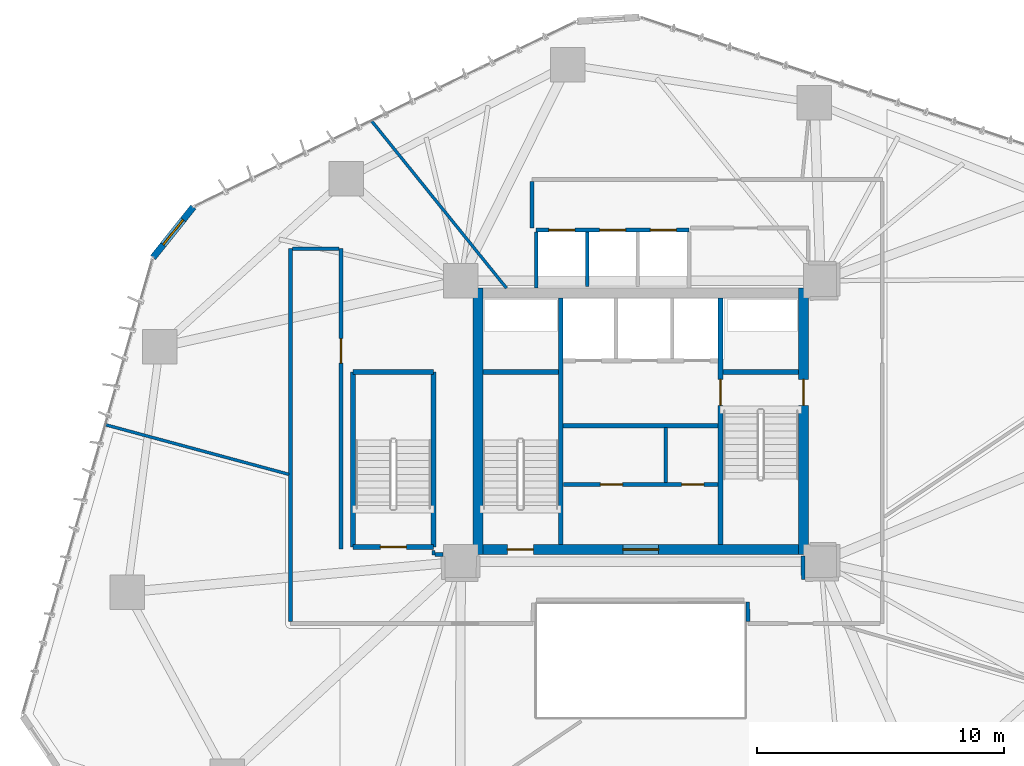
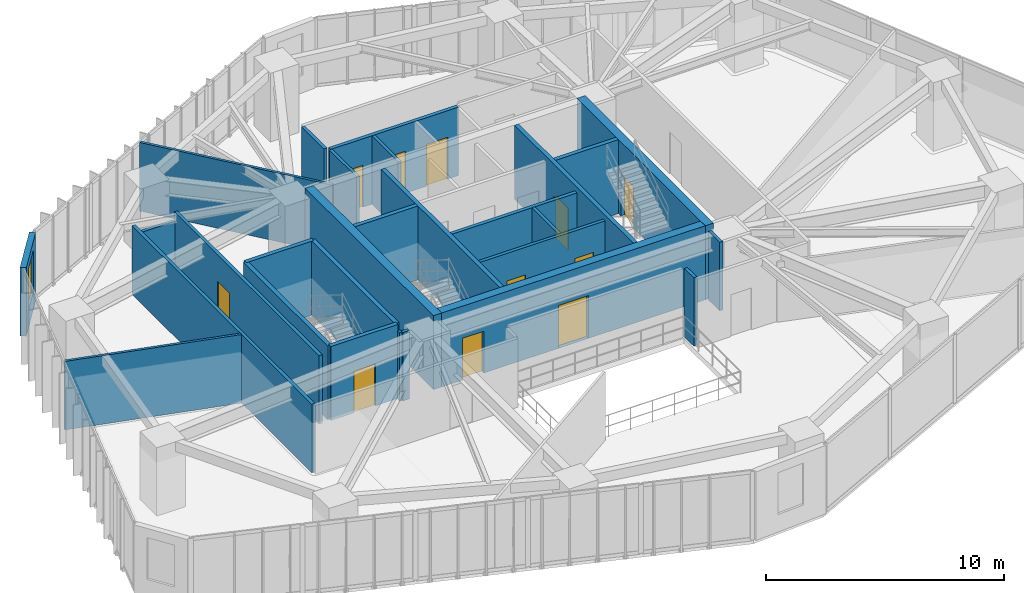
# One storey, part 18 of 23: 28 walls, 11 doors, 1 window, 12 openings.
"""IFC4 building model written with IfcOpenShell, lengths in metres."""

import ifcopenshell
import ifcopenshell.guid

model = None  # the IFC model being written
_history = None  # IfcOwnerHistory: only IFC2X3 demands one
_inside = {}  # id of a spatial element -> (the spatial element, [elements in it])
_under = {}  # id of a project, library or spatial element -> (it, [spatial elements below it])
_declared = {}  # id of a project -> (the project, [libraries it declares])
_typed = {}  # id of a type object -> (the type object, [elements of that type])
_made_of = {}  # id of a material, layer set ... -> (it, [elements and type objects made of it])


def new_model(schema):
    """Start an empty IFC model of exactly this schema.

    Asked for "IFC4X3", IfcOpenShell would pick the latest addendum, in which some entities
    have other attributes; the version numbers below select the first issue.
    IFC2X3 requires an IfcOwnerHistory on every rooted entity: one is made here for all.
    """
    global model, _history
    if schema == "IFC4X3":
        model = ifcopenshell.file(schema_version=(4, 3, 0, 0))
    else:
        model = ifcopenshell.file(schema=schema)
    _inside.clear()
    _under.clear()
    _declared.clear()
    _typed.clear()
    _made_of.clear()
    _history = None
    if model.schema == "IFC2X3":
        org = make("IfcOrganization", Name="unknown")
        user = make(
            "IfcPersonAndOrganization",
            ThePerson=make("IfcPerson", FamilyName="unknown"),
            TheOrganization=org,
        )
        app = make(
            "IfcApplication",
            ApplicationDeveloper=org,
            Version="unknown",
            ApplicationFullName="unknown",
            ApplicationIdentifier="unknown",
        )
        _history = make(
            "IfcOwnerHistory",
            OwningUser=user,
            OwningApplication=app,
            ChangeAction="ADDED",
            CreationDate=0,
        )
    return model


def make(cls, **values):
    """One entity of the class cls with the attributes given. An attribute that is None is left unset."""
    return model.create_entity(
        cls, **{name: value for name, value in values.items() if value is not None}
    )


def rooted(cls, **values):
    """An entity with a GlobalId (a new one), such as an element, a storey or a relation."""
    return make(cls, GlobalId=ifcopenshell.guid.new(), OwnerHistory=_history, **values)


def si_unit(unit_type, name, prefix=None):
    """IfcSIUnit, for example si_unit("LENGTHUNIT", "METRE", prefix="MILLI")."""
    return make("IfcSIUnit", UnitType=unit_type, Prefix=prefix, Name=name)


def assignment(units):
    """IfcUnitAssignment: the units of a project."""
    return None if units is None else make("IfcUnitAssignment", Units=units)


def point(xyz):
    """IfcCartesianPoint."""
    return None if xyz is None else make("IfcCartesianPoint", Coordinates=xyz)


def direction(xyz):
    """IfcDirection."""
    return None if xyz is None else make("IfcDirection", DirectionRatios=xyz)


def frame(location, z_axis=None, x_axis=None):
    """IfcAxis2Placement3D, a coordinate frame: its origin and axes. An axis left out is left unset."""
    return make(
        "IfcAxis2Placement3D",
        Location=point(location),
        Axis=direction(z_axis),
        RefDirection=direction(x_axis),
    )


def frame_2d(location, x_axis=None):
    """IfcAxis2Placement2D, a coordinate frame in the plane: its origin and x axis."""
    return make(
        "IfcAxis2Placement2D", Location=point(location), RefDirection=direction(x_axis)
    )


def origin():
    """The frame at (0, 0, 0) with its axes left unset."""
    return frame((0.0, 0.0, 0.0))


def place(relative_to, where):
    """IfcLocalPlacement: puts the frame where relative to a parent placement (None: the world)."""
    return make(
        "IfcLocalPlacement", PlacementRelTo=relative_to, RelativePlacement=where
    )


def context(
    kind, dimensions, precision=None, world=None, true_north=None, identifier=None
):
    """IfcGeometricRepresentationContext, for example the 3D "Model" context."""
    return make(
        "IfcGeometricRepresentationContext",
        ContextIdentifier=identifier,
        ContextType=kind,
        CoordinateSpaceDimension=dimensions,
        Precision=precision,
        WorldCoordinateSystem=world,
        TrueNorth=true_north,
    )


def subcontext(parent, identifier, kind, view, scale=None):
    """IfcGeometricRepresentationSubContext, for example "Body" below "Model"."""
    return make(
        "IfcGeometricRepresentationSubContext",
        ContextIdentifier=identifier,
        ContextType=kind,
        ParentContext=parent,
        TargetScale=scale,
        TargetView=view,
    )


def project(units=None, contexts=None):
    """IfcProject with its units and contexts."""
    return rooted(
        "IfcProject",
        Name="project",
        RepresentationContexts=contexts,
        UnitsInContext=assignment(units),
    )


def spatial(cls, under=None, at=None, **own):
    """A site, building, storey or space (cls), placed at a placement, below another one or the project."""
    s = rooted(cls, ObjectPlacement=at, **own)
    if under is not None:
        _under.setdefault(under.id(), (under, []))[1].append(s)
    return s


def profile(cls, at=None, kind="AREA", **sizes):
    """A parametric profile (cls). Its sizes go by their IFC names, for example OverallWidth=200.0."""
    return make(cls, ProfileType=kind, Position=at, **sizes)


def rectangle(**sizes):
    """IfcRectangleProfileDef."""
    return profile("IfcRectangleProfileDef", **sizes)


def extrude(swept, where, along, depth):
    """IfcExtrudedAreaSolid: the profile swept, set in the frame where, extruded along a direction by depth."""
    return make(
        "IfcExtrudedAreaSolid",
        SweptArea=swept,
        Position=where,
        ExtrudedDirection=direction(along),
        Depth=depth,
    )


def shape(context_of_items, identifier, shape_type, items):
    """IfcShapeRepresentation: the items that make up one representation, for example the "Body"."""
    return make(
        "IfcShapeRepresentation",
        ContextOfItems=context_of_items,
        RepresentationIdentifier=identifier,
        RepresentationType=shape_type,
        Items=items,
    )


def source(mapping_origin, context_of_items, identifier, shape_type, items):
    """IfcRepresentationMap: a shape defined once, which mapped items show again and again."""
    return make(
        "IfcRepresentationMap",
        MappingOrigin=mapping_origin,
        MappedRepresentation=shape(context_of_items, identifier, shape_type, items),
    )


def transform(
    local_origin,
    x_axis=None,
    y_axis=None,
    z_axis=None,
    scale=None,
    scale2=None,
    scale3=None,
    uniform=True,
):
    """IfcCartesianTransformationOperator3D, or its non-uniform kind. x_axis, y_axis, z_axis: its Axis1, 2, 3."""
    if uniform:
        return make(
            "IfcCartesianTransformationOperator3D",
            Axis1=direction(x_axis),
            Axis2=direction(y_axis),
            LocalOrigin=point(local_origin),
            Scale=scale,
            Axis3=direction(z_axis),
        )
    return make(
        "IfcCartesianTransformationOperator3DnonUniform",
        Axis1=direction(x_axis),
        Axis2=direction(y_axis),
        LocalOrigin=point(local_origin),
        Scale=scale,
        Axis3=direction(z_axis),
        Scale2=scale2,
        Scale3=scale3,
    )


def mapped(mapping_source, mapping_target):
    """IfcMappedItem: shows the shape of a source again, moved by a transform."""
    return make(
        "IfcMappedItem", MappingSource=mapping_source, MappingTarget=mapping_target
    )


def material(Name=None, Category=None):
    """IfcMaterial."""
    return make("IfcMaterial", Name=Name, Category=Category)


def layer(
    of_material, thickness, ventilated=None, Name=None, Category=None, Priority=None
):
    """IfcMaterialLayer: one layer of a wall or slab, of a material (None: an air gap)."""
    return make(
        "IfcMaterialLayer",
        Material=of_material,
        LayerThickness=thickness,
        IsVentilated=ventilated,
        Name=Name,
        Category=Category,
        Priority=Priority,
    )


def layer_set(layers, Name=None):
    """IfcMaterialLayerSet."""
    return make("IfcMaterialLayerSet", MaterialLayers=layers, LayerSetName=Name)


def made_of(thing, what):
    """Note that an element or type object is made of a material, layer set ...; save() writes the relation."""
    if what is not None:
        _made_of.setdefault(what.id(), (what, []))[1].append(thing)
    return thing


def type_object(cls, material=None, **own):
    """A type object (cls), such as IfcWallType, which elements share."""
    return made_of(rooted(cls, **own), material)


def type_shapes(of_type, sources):
    """Give a type object the sources (RepresentationMaps) that its elements show as mapped items."""
    of_type.RepresentationMaps = sources


def element(
    cls,
    number,
    at=None,
    inside=None,
    cuts=None,
    type_object=None,
    material=None,
    context=None,
    identifier="Body",
    shape_type=None,
    held_by="IfcProductDefinitionShape",
    body=None,
    shapes=None,
    **own,
):
    """One element of the class cls, such as IfcWall. Its Tag is "e" and its number.

    at: its placement. inside: the storey or other place that contains it. cuts: it is an
    opening in that element (IfcRelVoidsElement). A single representation is given by context,
    identifier, shape_type and body (its items); several are given by shapes. held_by: the class
    of the entity that holds the representations. save() writes the other relations.
    """
    e = rooted(cls, Tag="e%d" % number, ObjectPlacement=at, **own)
    if body is not None:
        shapes = [shape(context, identifier, shape_type, body)]
    if shapes is not None:
        e.Representation = make(held_by, Representations=shapes)
    if inside is not None:
        _inside.setdefault(inside.id(), (inside, []))[1].append(e)
    if cuts is not None:
        rooted(
            "IfcRelVoidsElement", RelatingBuildingElement=cuts, RelatedOpeningElement=e
        )
    if type_object is not None:
        _typed.setdefault(type_object.id(), (type_object, []))[1].append(e)
    return made_of(e, material)


def fill(opening, filler):
    """IfcRelFillsElement: the door or window that sits in an opening."""
    return rooted(
        "IfcRelFillsElement",
        RelatingOpeningElement=opening,
        RelatedBuildingElement=filler,
    )


def aggregate(whole, parts):
    """IfcRelAggregates: a whole, such as a stair, and the parts it consists of."""
    return rooted("IfcRelAggregates", RelatingObject=whole, RelatedObjects=parts)


def save(model, path):
    """Write the relations noted so far, then the file.

    IfcRelAggregates (storeys below a building ...), IfcRelContainedInSpatialStructure (elements
    in a storey), IfcRelDefinesByType, IfcRelAssociatesMaterial and IfcRelDeclares: one each for
    every whole, place, type object, material and project.
    """
    for whole, parts in _under.values():
        aggregate(whole, parts)
    for where, things in _inside.values():
        rooted(
            "IfcRelContainedInSpatialStructure",
            RelatedElements=things,
            RelatingStructure=where,
        )
    for kind, things in _typed.values():
        rooted("IfcRelDefinesByType", RelatedObjects=things, RelatingType=kind)
    for what, things in _made_of.values():
        rooted("IfcRelAssociatesMaterial", RelatedObjects=things, RelatingMaterial=what)
    for by, libraries in _declared.values():
        rooted("IfcRelDeclares", RelatingContext=by, RelatedDefinitions=libraries)
    model.write(path)


model = new_model("IFC4")

# Units and contexts
model_context = context("Model", 3, precision=1e-05, world=origin(), true_north=direction((0.0, 1.0)))
body_context = subcontext(model_context, "Body", "Model", "MODEL_VIEW")
ifc_project = project(units=[si_unit("LENGTHUNIT", "METRE"), si_unit("AREAUNIT", "SQUARE_METRE"), si_unit("VOLUMEUNIT", "CUBIC_METRE"), si_unit("PLANEANGLEUNIT", "RADIAN"), si_unit("MASSUNIT", "GRAM", prefix="KILO")], contexts=[model_context])

# Site, building, storey
site_placement = place(None, origin())
site = spatial("IfcSite", under=ifc_project, at=site_placement, CompositionType="ELEMENT")
building_placement = place(site_placement, origin())
building = spatial("IfcBuilding", under=site, at=building_placement, Name="Talar Marvaseh", CompositionType="ELEMENT")
storey_placement = place(building_placement, frame((0.0, 0.0, 35.39990234375)))
storey = spatial("IfcBuildingStorey", under=building, at=storey_placement, Name="L08", CompositionType="ELEMENT", Elevation=35.39990234375)

# Wall, opening, window
ifc_material_1 = material(Name="Precast concrete C45/55", Category="concrete")
ifc_layer_1 = layer(ifc_material_1, 0.27001953125)
ifc_layer_set_1 = layer_set([ifc_layer_1], Name="Precast concrete C45/55")
wall_type_1 = type_object("IfcWallType", Name="Chamfered Hexagonal Corner Pier Wall Z1 270", PredefinedType="SOLIDWALL", material=ifc_layer_set_1)
wall_1_placement = place(storey_placement, frame((6.22705078125, 37.84130859375, 0.0), z_axis=(0.0, 0.0, 1.0), x_axis=(0.62418419364, 0.781277218668, 0.0)))
wall_1 = element("IfcWall", 1, at=wall_1_placement, inside=storey, type_object=wall_type_1, Name="L08 Chamfered Corner Limestone Pier 2", PredefinedType="SOLIDWALL", context=body_context, shape_type="SweptSolid", body=[
    extrude(rectangle(XDim=2.623291015625, YDim=0.27001953125, at=frame_2d((1.3115234375, 0.0))), origin(), (0.0, 0.0, 1.0), 3.52001953125),
])
opening_1_placement = place(wall_1_placement, frame((0.662109375, 0.0, 0.89990234375)))
opening_1 = element("IfcOpeningElement", 2, at=opening_1_placement, cuts=wall_1, Name="Opening WN-CHM13", PredefinedType="OPENING", context=body_context, shape_type="SweptSolid", body=[
    extrude(rectangle(XDim=1.300048828125, YDim=2.14990234375, at=frame_2d((0.64990234375, 1.074951171875))), frame((0.0, 0.14501953125, 0.0), z_axis=(0.0, -1.0, 0.0), x_axis=(1.0, 0.0, 0.0)), (0.0, 0.0, 1.0), 0.2900390625),
])
ifc_material_2 = material(Name="Laminated Low-E Solar Glass", Category="glass")
window_type = type_object("IfcWindowType", Name="Zone 1 Chamfered Corner Slot Window 1300x2150", PartitioningType="SINGLE_PANEL", PredefinedType="WINDOW", material=ifc_material_2)
shared_shape_1 = source(origin(), body_context, "Body", "SweptSolid", [
    extrude(rectangle(XDim=1.300048828125, YDim=2.14990234375, at=frame_2d((0.64990234375, 1.074951171875))), frame((0.0, 0.030029296875, 0.0), z_axis=(0.0, -1.0, 0.0), x_axis=(1.0, 0.0, 0.0)), (0.0, 0.0, 1.0), 0.06005859375),
])
type_shapes(window_type, [shared_shape_1])
window_placement = place(opening_1_placement, origin())
window = element("IfcWindow", 3, at=window_placement, inside=storey, type_object=window_type, Name="L08 Chamfered Corner Slot Window", OverallHeight=2.14990234375, OverallWidth=1.300048828125, PartitioningType="SINGLE_PANEL", PredefinedType="WINDOW", context=body_context, shape_type="MappedRepresentation", body=[
    mapped(shared_shape_1, transform((0.0, 0.0, 0.0), x_axis=(1.0, 0.0, 0.0), y_axis=(0.0, 1.0, 0.0), z_axis=(0.0, 0.0, 1.0), scale=1.0)),
])
fill(opening_1, window)

# Wall, openings, doors
ifc_material_3 = material(Name="Gypsum Board Partition Assembly")
ifc_layer_2 = layer(ifc_material_3, 0.155029296875)
ifc_layer_set_2 = layer_set([ifc_layer_2], Name="Gypsum Board Partition Assembly")
wall_type_2 = type_object("IfcWallType", Name="Corridor Fire-Rated Acoustic Partition 155", PredefinedType="PARTITIONING", material=ifc_layer_set_2)
wall_2_placement = place(storey_placement, frame((22.865966796875, 28.639892578125, 0.0), z_axis=(0.0, 0.0, 1.0), x_axis=(1.0, 0.0, 0.0)))
wall_2 = element("IfcWall", 4, at=wall_2_placement, inside=storey, type_object=wall_type_2, Name="L08 Core BOH Partition", PredefinedType="PARTITIONING", context=body_context, shape_type="SweptSolid", body=[
    extrude(rectangle(XDim=6.26806640625, YDim=0.155029296875, at=frame_2d((3.134033203125, 0.0))), origin(), (0.0, 0.0, 1.0), 3.52001953125),
])
opening_2_placement = place(wall_2_placement, frame((1.5, 0.0, 0.0)))
opening_2 = element("IfcOpeningElement", 5, at=opening_2_placement, cuts=wall_2, Name="Opening DR-BOH090", PredefinedType="OPENING", context=body_context, shape_type="SweptSolid", body=[
    extrude(rectangle(XDim=0.89990234375, YDim=2.10009765625, at=frame_2d((0.449951171875, 1.050048828125))), frame((0.0, 0.08740234375, 0.0), z_axis=(0.0, -1.0, 0.0), x_axis=(1.0, 0.0, 0.0)), (0.0, 0.0, 1.0), 0.175048828125),
])
opening_3_placement = place(wall_2_placement, frame((4.800048828125, 0.0, 0.0)))
opening_3 = element("IfcOpeningElement", 6, at=opening_3_placement, cuts=wall_2, Name="Opening DR-BOH090", PredefinedType="OPENING", context=body_context, shape_type="SweptSolid", body=[
    extrude(rectangle(XDim=0.89990234375, YDim=2.10009765625, at=frame_2d((0.449951171875, 1.050048828125))), frame((0.0, 0.08740234375, 0.0), z_axis=(0.0, -1.0, 0.0), x_axis=(1.0, 0.0, 0.0)), (0.0, 0.0, 1.0), 0.175048828125),
])
ifc_material_4 = material(Name="Fire-Rated Steel Door Leaf", Category="steel")
door_type_1 = type_object("IfcDoorType", Name="Core Back-of-House Service Door 900x2100", OperationType="NOTDEFINED", PredefinedType="DOOR", material=ifc_material_4)
shared_shape_2 = source(origin(), body_context, "Body", "SweptSolid", [
    extrude(rectangle(XDim=0.89990234375, YDim=2.10009765625, at=frame_2d((0.449951171875, 1.050048828125))), frame((0.0, 0.02490234375, 0.0), z_axis=(0.0, -1.0, 0.0), x_axis=(1.0, 0.0, 0.0)), (0.0, 0.0, 1.0), 0.050048828125),
])
type_shapes(door_type_1, [shared_shape_2])
door_1_placement = place(opening_2_placement, origin())
door_1 = element("IfcDoor", 7, at=door_1_placement, inside=storey, type_object=door_type_1, Name="L08 Plant Core Comms Switch Room Door", OperationType="SINGLE_SWING_LEFT", OverallHeight=2.10009765625, OverallWidth=0.89990234375, PredefinedType="DOOR", context=body_context, shape_type="MappedRepresentation", body=[
    mapped(shared_shape_2, transform((0.0, 0.0, 0.0), x_axis=(1.0, 0.0, 0.0), y_axis=(0.0, 1.0, 0.0), z_axis=(0.0, 0.0, 1.0), scale=1.0)),
])
fill(opening_2, door_1)
door_2_placement = place(opening_3_placement, origin())
door_2 = element("IfcDoor", 8, at=door_2_placement, inside=storey, type_object=door_type_1, Name="L08 Cleaner Cupboard Door", OperationType="SINGLE_SWING_RIGHT", OverallHeight=2.10009765625, OverallWidth=0.89990234375, PredefinedType="DOOR", context=body_context, shape_type="MappedRepresentation", body=[
    mapped(shared_shape_2, transform((0.0, 0.0, 0.0), x_axis=(1.0, 0.0, 0.0), y_axis=(0.0, 1.0, 0.0), z_axis=(0.0, 0.0, 1.0), scale=1.0)),
])
fill(opening_3, door_2)

# Wall
wall_3_placement = place(storey_placement, frame((27.02001953125, 28.719970703125, 0.0), z_axis=(0.0, 0.0, 1.0), x_axis=(0.0, 1.0, 0.0)))
element("IfcWall", 9, at=wall_3_placement, inside=storey, type_object=wall_type_2, Name="L08 Core BOH Partition", PredefinedType="PARTITIONING", context=body_context, shape_type="SweptSolid", body=[
    extrude(rectangle(XDim=2.219970703125, YDim=0.155029296875, at=frame_2d((1.10986328125, 0.0))), origin(), (0.0, 0.0, 1.0), 3.52001953125),
])

# Wall, opening, door
wall_4_placement = place(storey_placement, frame((13.85009765625, 38.199951171875, 0.0), z_axis=(0.0, 0.0, 1.0), x_axis=(0.0, -1.0, 0.0)))
wall_4 = element("IfcWall", 10, at=wall_4_placement, inside=storey, type_object=wall_type_2, Name="L08 Interior Partition Wall", PredefinedType="PARTITIONING", context=body_context, shape_type="SweptSolid", body=[
    extrude(rectangle(XDim=12.179931640625, YDim=0.155029296875, at=frame_2d((6.08984375, 0.0))), origin(), (0.0, 0.0, 1.0), 3.52001953125),
])
opening_4_placement = place(wall_4_placement, frame((3.644287109375, 0.0, 0.0)))
opening_4 = element("IfcOpeningElement", 11, at=opening_4_placement, cuts=wall_4, Name="Opening DR-RM100", PredefinedType="OPENING", context=body_context, shape_type="SweptSolid", body=[
    extrude(rectangle(XDim=1.0, YDim=2.14990234375, at=frame_2d((0.5, 1.074951171875))), frame((0.0, 0.08740234375, 0.0), z_axis=(0.0, -1.0, 0.0), x_axis=(1.0, 0.0, 0.0)), (0.0, 0.0, 1.0), 0.175048828125),
])
ifc_material_5 = material(Name="Acoustic Engineered Oak Timber", Category="wood")
door_type_2 = type_object("IfcDoorType", Name="Corridor Fire-Rated Gallery Door 1000x2150", OperationType="NOTDEFINED", PredefinedType="DOOR", material=ifc_material_5)
shared_shape_3 = source(origin(), body_context, "Body", "SweptSolid", [
    extrude(rectangle(XDim=1.0, YDim=2.14990234375, at=frame_2d((0.5, 1.074951171875))), frame((0.0, 0.02490234375, 0.0), z_axis=(0.0, -1.0, 0.0), x_axis=(1.0, 0.0, 0.0)), (0.0, 0.0, 1.0), 0.050048828125),
])
type_shapes(door_type_2, [shared_shape_3])
door_3_placement = place(opening_4_placement, origin())
door_3 = element("IfcDoor", 12, at=door_3_placement, inside=storey, type_object=door_type_2, Name="L08 Chamber Recital Salon Door", OperationType="SINGLE_SWING_LEFT", OverallHeight=2.14990234375, OverallWidth=1.0, PredefinedType="DOOR", context=body_context, shape_type="MappedRepresentation", body=[
    mapped(shared_shape_3, transform((0.0, 0.0, 0.0), x_axis=(1.0, 0.0, 0.0), y_axis=(0.0, 1.0, 0.0), z_axis=(0.0, 0.0, 1.0), scale=1.0)),
])
fill(opening_4, door_3)

# Walls
wall_5_placement = place(storey_placement, frame((11.800048828125, 23.08349609375, 0.0), z_axis=(0.0, 0.0, 1.0), x_axis=(0.0, 1.0, 0.0)))
element("IfcWall", 13, at=wall_5_placement, inside=storey, type_object=wall_type_2, Name="L08 Interior Partition Wall", PredefinedType="PARTITIONING", context=body_context, shape_type="SweptSolid", body=[
    extrude(rectangle(XDim=15.116455078125, YDim=0.155029296875, at=frame_2d((7.55810546875, 0.0))), origin(), (0.0, 0.0, 1.0), 3.52001953125),
])
wall_6_placement = place(storey_placement, frame((11.883544921875, 38.199951171875, 0.0), z_axis=(0.0, 0.0, 1.0), x_axis=(1.0, 0.0, 0.0)))
element("IfcWall", 14, at=wall_6_placement, inside=storey, type_object=wall_type_2, Name="L08 Interior Partition Wall", PredefinedType="PARTITIONING", context=body_context, shape_type="SweptSolid", body=[
    extrude(rectangle(XDim=1.883056640625, YDim=0.155029296875, at=frame_2d((0.94140625, 0.0))), origin(), (0.0, 0.0, 1.0), 3.08203125),
])
wall_7_placement = place(storey_placement, frame((17.666015625, 25.800048828125, 0.0), z_axis=(0.0, 0.0, 1.0), x_axis=(1.0, 0.0, 0.0)))
element("IfcWall", 15, at=wall_7_placement, inside=storey, type_object=wall_type_2, Name="L08 Interior Partition Wall", PredefinedType="PARTITIONING", context=body_context, shape_type="SweptSolid", body=[
    extrude(rectangle(XDim=0.319091796875, YDim=0.155029296875, at=frame_2d((0.15966796875, 0.0))), origin(), (0.0, 0.0, 1.0), 3.52001953125),
])
wall_8_placement = place(storey_placement, frame((32.5849609375, 25.72998046875, 0.0), z_axis=(0.0, 0.0, 1.0), x_axis=(0.007253695172, -0.999973691607, 0.0)))
element("IfcWall", 16, at=wall_8_placement, inside=storey, type_object=wall_type_2, Name="L08 Interior Partition Wall", PredefinedType="PARTITIONING", context=body_context, shape_type="SweptSolid", body=[
    extrude(rectangle(XDim=0.9423828125, YDim=0.155029296875, at=frame_2d((0.47119140625, 0.0))), origin(), (0.0, 0.0, 1.0), 3.52001953125),
])
wall_9_placement = place(storey_placement, frame((21.60009765625, 39.0400390625, 0.0), z_axis=(0.0, 0.0, 1.0), x_axis=(0.0, 1.0, 0.0)))
element("IfcWall", 17, at=wall_9_placement, inside=storey, type_object=wall_type_2, Name="L08 Interior Partition Wall", PredefinedType="PARTITIONING", context=body_context, shape_type="SweptSolid", body=[
    extrude(rectangle(XDim=1.87646484375, YDim=0.155029296875, at=frame_2d((0.938232421875, 0.0))), origin(), (0.0, 0.0, 1.0), 3.52001953125),
])
wall_10_placement = place(storey_placement, frame((30.358154296875, 23.08349609375, 0.0), z_axis=(0.0, 0.0, 1.0), x_axis=(-0.021573276475, 0.999767269789, 0.0)))
element("IfcWall", 18, at=wall_10_placement, inside=storey, type_object=wall_type_2, Name="L08 Interior Partition Wall", PredefinedType="PARTITIONING", context=body_context, shape_type="SweptSolid", body=[
    extrude(rectangle(XDim=0.792236328125, YDim=0.155029296875, at=frame_2d((0.39599609375, 0.0))), origin(), (0.0, 0.0, 1.0), 3.52001953125),
])
ifc_layer_3 = layer(ifc_material_3, 0.1201171875)
ifc_layer_set_3 = layer_set([ifc_layer_3], Name="Gypsum Board Partition Assembly")
wall_type_3 = type_object("IfcWallType", Name="Demountable Studio Room Partition 120", PredefinedType="PARTITIONING", material=ifc_layer_set_3)
wall_11_placement = place(storey_placement, frame((17.60009765625, 25.96240234375, 0.0), z_axis=(0.0, 0.0, 1.0), x_axis=(0.0, -1.0, 0.0)))
element("IfcWall", 19, at=wall_11_placement, inside=storey, type_object=wall_type_3, Name="L08 Interior Partition Wall", PredefinedType="PARTITIONING", context=body_context, shape_type="SweptSolid", body=[
    extrude(rectangle(XDim=0.1748046875, YDim=0.1201171875, at=frame_2d((0.08740234375, 0.0))), origin(), (0.0, 0.0, 1.0), 3.52001953125),
])
wall_12_placement = place(storey_placement, frame((4.314453125, 31.0546875, 0.0), z_axis=(0.0, 0.0, 1.0), x_axis=(0.965317774565, -0.261077754909, 0.0)))
element("IfcWall", 20, at=wall_12_placement, inside=storey, type_object=wall_type_3, Name="L08 Interior Partition Wall", PredefinedType="PARTITIONING", context=body_context, shape_type="SweptSolid", body=[
    extrude(rectangle(XDim=7.689453125, YDim=0.1201171875, at=frame_2d((3.8447265625, 0.0))), origin(), (0.0, 0.0, 1.0), 3.52001953125),
])
wall_13_placement = place(storey_placement, frame((20.56005859375, 36.60009765625, 0.0), z_axis=(0.0, 0.0, 1.0), x_axis=(-0.627985572303, 0.778224980953, 0.0)))
element("IfcWall", 21, at=wall_13_placement, inside=storey, type_object=wall_type_3, Name="L08 Interior Partition Wall", PredefinedType="PARTITIONING", context=body_context, shape_type="SweptSolid", body=[
    extrude(rectangle(XDim=8.69873046875, YDim=0.1201171875, at=frame_2d((4.349365234375, 0.0))), origin(), (0.0, 0.0, 1.0), 3.52001953125),
])
ifc_layer_4 = layer(ifc_material_1, 0.14501953125)
ifc_layer_set_4 = layer_set([ifc_layer_4], Name="Precast concrete C45/55")
wall_type_4 = type_object("IfcWallType", Name="Fire-Rated Lift Divider Wall 145", PredefinedType="SOLIDWALL", material=ifc_layer_set_4)
wall_14_placement = place(storey_placement, frame((21.760009765625, 36.60009765625, 0.0), z_axis=(0.0, 0.0, 1.0), x_axis=(0.0, 1.0, 0.0)))
element("IfcWall", 22, at=wall_14_placement, inside=storey, type_object=wall_type_4, Name="L08 Low-Rise Bank West Wall", PredefinedType="SOLIDWALL", context=body_context, shape_type="SweptSolid", body=[
    extrude(rectangle(XDim=2.266357421875, YDim=0.14501953125, at=frame_2d((1.13330078125, 0.0))), origin(), (0.0, 0.0, 1.0), 3.52001953125),
])
wall_15_placement = place(storey_placement, frame((23.830078125, 36.659912109375, 0.0), z_axis=(0.0, 0.0, 1.0), x_axis=(0.0, 1.0, 0.0)))
element("IfcWall", 23, at=wall_15_placement, inside=storey, type_object=wall_type_4, Name="L08 PL-L1/PL-L2 Divider", PredefinedType="SOLIDWALL", context=body_context, shape_type="SweptSolid", body=[
    extrude(rectangle(XDim=2.20654296875, YDim=0.14501953125, at=frame_2d((1.103271484375, 0.0))), origin(), (0.0, 0.0, 1.0), 3.52001953125),
])
ifc_layer_5 = layer(ifc_material_1, 0.175048828125)
ifc_layer_set_5 = layer_set([ifc_layer_5], Name="Precast concrete C45/55")
wall_type_5 = type_object("IfcWallType", Name="Fire-Rated Lift Hoistway Enclosure Wall 175", PredefinedType="SOLIDWALL", material=ifc_layer_set_5)
wall_16_placement = place(storey_placement, frame((22.860107421875, 31.02001953125, 0.0), z_axis=(0.0, 0.0, 1.0), x_axis=(1.0, 0.0, 0.0)))
element("IfcWall", 24, at=wall_16_placement, inside=storey, type_object=wall_type_5, Name="L08 Firefighting Lobby South Smoke Wall", PredefinedType="SOLIDWALL", context=body_context, shape_type="SweptSolid", body=[
    extrude(rectangle(XDim=6.27978515625, YDim=0.175048828125, at=frame_2d((3.139892578125, 0.0))), origin(), (0.0, 0.0, 1.0), 3.52001953125),
])

# Wall, openings, doors
wall_17_placement = place(storey_placement, frame((21.760009765625, 38.9599609375, 0.0), z_axis=(0.0, 0.0, 1.0), x_axis=(1.0, 0.0, 0.0)))
wall_17 = element("IfcWall", 25, at=wall_17_placement, inside=storey, type_object=wall_type_5, Name="L08 Low-Rise Lift Bank Front Wall", PredefinedType="SOLIDWALL", context=body_context, shape_type="SweptSolid", body=[
    extrude(rectangle(XDim=6.199951171875, YDim=0.175048828125, at=frame_2d((3.10009765625, 0.0))), origin(), (0.0, 0.0, 1.0), 3.52001953125),
])
opening_5_placement = place(wall_17_placement, frame((0.52001953125, 0.0, 0.0)))
opening_5 = element("IfcOpeningElement", 26, at=opening_5_placement, cuts=wall_17, Name="Opening LD-PLL1", PredefinedType="OPENING", context=body_context, shape_type="SweptSolid", body=[
    extrude(rectangle(XDim=1.050048828125, YDim=2.14990234375, at=frame_2d((0.52490234375, 1.074951171875))), frame((0.0, 0.09765625, 0.0), z_axis=(0.0, -1.0, 0.0), x_axis=(1.0, 0.0, 0.0)), (0.0, 0.0, 1.0), 0.195068359375),
])
opening_6_placement = place(wall_17_placement, frame((2.580078125, 0.0, 0.0)))
opening_6 = element("IfcOpeningElement", 27, at=opening_6_placement, cuts=wall_17, Name="Opening LD-PLL2", PredefinedType="OPENING", context=body_context, shape_type="SweptSolid", body=[
    extrude(rectangle(XDim=1.050048828125, YDim=2.14990234375, at=frame_2d((0.52490234375, 1.074951171875))), frame((0.0, 0.09765625, 0.0), z_axis=(0.0, -1.0, 0.0), x_axis=(1.0, 0.0, 0.0)), (0.0, 0.0, 1.0), 0.195068359375),
])
opening_7_placement = place(wall_17_placement, frame((4.639892578125, 0.0, 0.0)))
opening_7 = element("IfcOpeningElement", 28, at=opening_7_placement, cuts=wall_17, Name="Opening LD-PLL3", PredefinedType="OPENING", context=body_context, shape_type="SweptSolid", body=[
    extrude(rectangle(XDim=1.050048828125, YDim=2.14990234375, at=frame_2d((0.52490234375, 1.074951171875))), frame((0.0, 0.09765625, 0.0), z_axis=(0.0, -1.0, 0.0), x_axis=(1.0, 0.0, 0.0)), (0.0, 0.0, 1.0), 0.195068359375),
])
ifc_material_6 = material(Name="Stainless Steel Grade 316", Category="steel")
door_type_3 = type_object("IfcDoorType", Name="Automatic Sliding Lift Landing Door 1050x2150", OperationType="NOTDEFINED", PredefinedType="DOOR", material=ifc_material_6)
shared_shape_4 = source(origin(), body_context, "Body", "SweptSolid", [
    extrude(rectangle(XDim=1.050048828125, YDim=2.14990234375, at=frame_2d((0.52490234375, 1.074951171875))), frame((0.0, 0.02490234375, 0.0), z_axis=(0.0, -1.0, 0.0), x_axis=(1.0, 0.0, 0.0)), (0.0, 0.0, 1.0), 0.050048828125),
])
type_shapes(door_type_3, [shared_shape_4])
door_4_placement = place(opening_5_placement, origin())
door_4 = element("IfcDoor", 29, at=door_4_placement, inside=storey, type_object=door_type_3, Name="L08 Lift PL-L1 Sliding Landing Door", OperationType="SLIDING_TO_LEFT", OverallHeight=2.14990234375, OverallWidth=1.050048828125, PredefinedType="DOOR", context=body_context, shape_type="MappedRepresentation", body=[
    mapped(shared_shape_4, transform((0.0, 0.0, 0.0), x_axis=(1.0, 0.0, 0.0), y_axis=(0.0, 1.0, 0.0), z_axis=(0.0, 0.0, 1.0), scale=1.0)),
])
fill(opening_5, door_4)
door_5_placement = place(opening_6_placement, origin())
door_5 = element("IfcDoor", 30, at=door_5_placement, inside=storey, type_object=door_type_3, Name="L08 Lift PL-L2 Sliding Landing Door", OperationType="SLIDING_TO_LEFT", OverallHeight=2.14990234375, OverallWidth=1.050048828125, PredefinedType="DOOR", context=body_context, shape_type="MappedRepresentation", body=[
    mapped(shared_shape_4, transform((0.0, 0.0, 0.0), x_axis=(1.0, 0.0, 0.0), y_axis=(0.0, 1.0, 0.0), z_axis=(0.0, 0.0, 1.0), scale=1.0)),
])
fill(opening_6, door_5)
door_6_placement = place(opening_7_placement, origin())
door_6 = element("IfcDoor", 31, at=door_6_placement, inside=storey, type_object=door_type_3, Name="L08 Lift PL-L3 Sliding Landing Door", OperationType="SLIDING_TO_LEFT", OverallHeight=2.14990234375, OverallWidth=1.050048828125, PredefinedType="DOOR", context=body_context, shape_type="MappedRepresentation", body=[
    mapped(shared_shape_4, transform((0.0, 0.0, 0.0), x_axis=(1.0, 0.0, 0.0), y_axis=(0.0, 1.0, 0.0), z_axis=(0.0, 0.0, 1.0), scale=1.0)),
])
fill(opening_7, door_6)

# Wall
ifc_material_7 = material(Name="Concrete C70/85", Category="concrete")
ifc_layer_6 = layer(ifc_material_7, 0.39990234375)
ifc_layer_set_6 = layer_set([ifc_layer_6], Name="Concrete C70/85")
wall_type_6 = type_object("IfcWallType", Name="Lower Core Reinforced Concrete Shear Wall 400", PredefinedType="SHEAR", material=ifc_layer_set_6)
wall_18_placement = place(storey_placement, frame((19.39990234375, 25.800048828125, 0.0), z_axis=(0.0, 0.0, 1.0), x_axis=(0.0, 1.0, 0.0)))
element("IfcWall", 32, at=wall_18_placement, inside=storey, type_object=wall_type_6, Name="L08 West Core Shear Wall", PredefinedType="SHEAR", context=body_context, shape_type="SweptSolid", body=[
    extrude(rectangle(XDim=10.800048828125, YDim=0.39990234375, at=frame_2d((5.39990234375, 0.0))), origin(), (0.0, 0.0, 1.0), 3.800048828125),
])

# Wall, opening, door
wall_19_placement = place(storey_placement, frame((32.60009765625, 36.60009765625, 0.0), z_axis=(0.0, 0.0, 1.0), x_axis=(0.0, -1.0, 0.0)))
wall_19 = element("IfcWall", 33, at=wall_19_placement, inside=storey, type_object=wall_type_6, Name="L08 East Core Shear Wall", PredefinedType="SHEAR", context=body_context, shape_type="SweptSolid", body=[
    extrude(rectangle(XDim=10.800048828125, YDim=0.39990234375, at=frame_2d((5.39990234375, 0.0))), origin(), (0.0, 0.0, 1.0), 3.800048828125),
])
opening_8_placement = place(wall_19_placement, frame((3.699951171875, 0.0, 0.0)))
opening_8 = element("IfcOpeningElement", 34, at=opening_8_placement, cuts=wall_19, Name="Opening DR-ST105", PredefinedType="OPENING", context=body_context, shape_type="SweptSolid", body=[
    extrude(rectangle(XDim=1.050048828125, YDim=2.14990234375, at=frame_2d((0.52490234375, 1.074951171875))), frame((0.0, 0.2099609375, 0.0), z_axis=(0.0, -1.0, 0.0), x_axis=(1.0, 0.0, 0.0)), (0.0, 0.0, 1.0), 0.419921875),
])
door_type_4 = type_object("IfcDoorType", Name="Protected Exit Stair Fire Door 1050x2150", OperationType="NOTDEFINED", PredefinedType="DOOR", material=ifc_material_4)
shared_shape_5 = source(origin(), body_context, "Body", "SweptSolid", [
    extrude(rectangle(XDim=1.050048828125, YDim=2.14990234375, at=frame_2d((0.52490234375, 1.074951171875))), frame((0.0, 0.02490234375, 0.0), z_axis=(0.0, -1.0, 0.0), x_axis=(1.0, 0.0, 0.0)), (0.0, 0.0, 1.0), 0.050048828125),
])
type_shapes(door_type_4, [shared_shape_5])
door_7_placement = place(opening_8_placement, origin())
door_7 = element("IfcDoor", 35, at=door_7_placement, inside=storey, type_object=door_type_4, Name="L08 Stair ST-2 Corridor Exit Door", OperationType="SINGLE_SWING_LEFT", OverallHeight=2.14990234375, OverallWidth=1.050048828125, PredefinedType="DOOR", context=body_context, shape_type="MappedRepresentation", body=[
    mapped(shared_shape_5, transform((0.0, 0.0, 0.0), x_axis=(1.0, 0.0, 0.0), y_axis=(0.0, 1.0, 0.0), z_axis=(0.0, 0.0, 1.0), scale=1.0)),
])
fill(opening_8, door_7)

# Wall, openings, doors
wall_20_placement = place(storey_placement, frame((32.39990234375, 26.0, 0.0), z_axis=(0.0, 0.0, 1.0), x_axis=(-1.0, 0.0, 0.0)))
wall_20 = element("IfcWall", 36, at=wall_20_placement, inside=storey, type_object=wall_type_6, Name="L08 South Core Shear Wall", PredefinedType="SHEAR", context=body_context, shape_type="SweptSolid", body=[
    extrude(rectangle(XDim=12.7998046875, YDim=0.39990234375, at=frame_2d((6.39990234375, 0.0))), origin(), (0.0, 0.0, 1.0), 3.800048828125),
])
opening_9_placement = place(wall_20_placement, frame((10.75, 0.0, 0.0)))
opening_9 = element("IfcOpeningElement", 37, at=opening_9_placement, cuts=wall_20, Name="Opening DR-ST105", PredefinedType="OPENING", context=body_context, shape_type="SweptSolid", body=[
    extrude(rectangle(XDim=1.050048828125, YDim=2.14990234375, at=frame_2d((0.52490234375, 1.074951171875))), frame((0.0, 0.2099609375, 0.0), z_axis=(0.0, -1.0, 0.0), x_axis=(1.0, 0.0, 0.0)), (0.0, 0.0, 1.0), 0.419921875),
])
opening_10_placement = place(wall_20_placement, frame((5.669921875, 0.0, 0.0)))
opening_10 = element("IfcOpeningElement", 38, at=opening_10_placement, cuts=wall_20, Name="Opening DR-LBY145", PredefinedType="OPENING", context=body_context, shape_type="SweptSolid", body=[
    extrude(rectangle(XDim=1.449951171875, YDim=2.199951171875, at=frame_2d((0.72509765625, 1.10009765625))), frame((0.0, 0.2099609375, 0.0), z_axis=(0.0, -1.0, 0.0), x_axis=(1.0, 0.0, 0.0)), (0.0, 0.0, 1.0), 0.419921875),
])
door_8_placement = place(opening_9_placement, origin())
door_8 = element("IfcDoor", 39, at=door_8_placement, inside=storey, type_object=door_type_4, Name="L08 Stair ST-1 Exit Door", OperationType="SINGLE_SWING_RIGHT", OverallHeight=2.14990234375, OverallWidth=1.050048828125, PredefinedType="DOOR", context=body_context, shape_type="MappedRepresentation", body=[
    mapped(shared_shape_5, transform((0.0, 0.0, 0.0), x_axis=(1.0, 0.0, 0.0), y_axis=(0.0, 1.0, 0.0), z_axis=(0.0, 0.0, 1.0), scale=1.0)),
])
fill(opening_9, door_8)
door_type_5 = type_object("IfcDoorType", Name="Core Lift Lobby Double Smoke Door 1450x2200", OperationType="NOTDEFINED", PredefinedType="DOOR", material=ifc_material_4)
shared_shape_6 = source(origin(), body_context, "Body", "SweptSolid", [
    extrude(rectangle(XDim=1.449951171875, YDim=2.199951171875, at=frame_2d((0.72509765625, 1.10009765625))), frame((0.0, 0.02490234375, 0.0), z_axis=(0.0, -1.0, 0.0), x_axis=(1.0, 0.0, 0.0)), (0.0, 0.0, 1.0), 0.050048828125),
])
type_shapes(door_type_5, [shared_shape_6])
door_9_placement = place(opening_10_placement, origin())
door_9 = element("IfcDoor", 40, at=door_9_placement, inside=storey, type_object=door_type_5, Name="L08 Passenger Lift Lobby Entrance Door", OperationType="DOUBLE_DOOR_SINGLE_SWING", OverallHeight=2.199951171875, OverallWidth=1.449951171875, PredefinedType="DOOR", context=body_context, shape_type="MappedRepresentation", body=[
    mapped(shared_shape_6, transform((0.0, 0.0, 0.0), x_axis=(1.0, 0.0, 0.0), y_axis=(0.0, 1.0, 0.0), z_axis=(0.0, 0.0, 1.0), scale=1.0)),
])
fill(opening_10, door_9)

# Wall
ifc_material_8 = material(Name="Concrete C50/60", Category="concrete")
ifc_layer_7 = layer(ifc_material_8, 0.199951171875)
ifc_layer_set_7 = layer_set([ifc_layer_7], Name="Concrete C50/60")
wall_type_7 = type_object("IfcWallType", Name="Stair Shaft Structural Concrete Shear Wall 200", PredefinedType="SHEAR", material=ifc_layer_set_7)
wall_21_placement = place(storey_placement, frame((22.760009765625, 26.199951171875, 0.0), z_axis=(0.0, 0.0, 1.0), x_axis=(0.0, 1.0, 0.0)))
element("IfcWall", 41, at=wall_21_placement, inside=storey, type_object=wall_type_7, Name="L08 Core West Stair Shear Wall", PredefinedType="SHEAR", context=body_context, shape_type="SweptSolid", body=[
    extrude(rectangle(XDim=10.0, YDim=0.199951171875, at=frame_2d((5.0, 0.0))), origin(), (0.0, 0.0, 1.0), 3.800048828125),
])

# Wall, opening, door
wall_22_placement = place(storey_placement, frame((29.239990234375, 26.199951171875, 0.0), z_axis=(0.0, 0.0, 1.0), x_axis=(0.0, 1.0, 0.0)))
wall_22 = element("IfcWall", 42, at=wall_22_placement, inside=storey, type_object=wall_type_7, Name="L08 Core East Stair Shear Wall", PredefinedType="SHEAR", context=body_context, shape_type="SweptSolid", body=[
    extrude(rectangle(XDim=10.0, YDim=0.199951171875, at=frame_2d((5.0, 0.0))), origin(), (0.0, 0.0, 1.0), 3.800048828125),
])
opening_11_placement = place(wall_22_placement, frame((5.64990234375, 0.0, 0.0)))
opening_11 = element("IfcOpeningElement", 43, at=opening_11_placement, cuts=wall_22, Name="Opening DR-ST105", PredefinedType="OPENING", context=body_context, shape_type="SweptSolid", body=[
    extrude(rectangle(XDim=1.050048828125, YDim=2.14990234375, at=frame_2d((0.52490234375, 1.074951171875))), frame((0.0, 0.10986328125, 0.0), z_axis=(0.0, -1.0, 0.0), x_axis=(1.0, 0.0, 0.0)), (0.0, 0.0, 1.0), 0.219970703125),
])
door_10_placement = place(opening_11_placement, origin())
door_10 = element("IfcDoor", 44, at=door_10_placement, inside=storey, type_object=door_type_4, Name="L08 Firefighting Lobby to Stair ST-2 Door", OperationType="SINGLE_SWING_LEFT", OverallHeight=2.14990234375, OverallWidth=1.050048828125, PredefinedType="DOOR", context=body_context, shape_type="MappedRepresentation", body=[
    mapped(shared_shape_5, transform((0.0, 0.0, 0.0), x_axis=(1.0, 0.0, 0.0), y_axis=(0.0, 1.0, 0.0), z_axis=(0.0, 0.0, 1.0), scale=1.0)),
])
fill(opening_11, door_10)

# Walls
for number, where, z_axis, x_axis, name in (
    (45, (19.60009765625, 33.199951171875, 0.0), (0.0, 0.0, 1.0), (1.0, 0.0, 0.0), "L08 Stair ST-1 North Shear Wall"),
    (46, (29.340087890625, 33.199951171875, 0.0), (0.0, 0.0, 1.0), (1.0, 0.0, 0.0), "L08 Stair ST-2 North Shear Wall"),
):
    element("IfcWall", number, at=place(storey_placement, frame(where, z_axis=z_axis, x_axis=x_axis)), inside=storey, type_object=wall_type_7, Name=name, PredefinedType="SHEAR", context=body_context, shape_type="SweptSolid", body=[
        extrude(rectangle(XDim=3.059814453125, YDim=0.199951171875, at=frame_2d((1.52978515625, 0.0))), origin(), (0.0, 0.0, 1.0), 3.800048828125),
    ])

# Wall, opening, door
wall_23_placement = place(storey_placement, frame((17.60009765625, 26.10009765625, 0.0), z_axis=(0.0, 0.0, 1.0), x_axis=(-1.0, 0.0, 0.0)))
wall_23 = element("IfcWall", 47, at=wall_23_placement, inside=storey, type_object=wall_type_7, Name="L08 Stair ST-3 South Shear Wall", PredefinedType="SHEAR", context=body_context, shape_type="SweptSolid", body=[
    extrude(rectangle(XDim=3.260009765625, YDim=0.199951171875, at=frame_2d((1.6298828125, 0.0))), origin(), (0.0, 0.0, 1.0), 3.800048828125),
])
opening_12_placement = place(wall_23_placement, frame((1.10009765625, 0.0, 0.0)))
opening_12 = element("IfcOpeningElement", 48, at=opening_12_placement, cuts=wall_23, Name="Opening DR-ST105", PredefinedType="OPENING", context=body_context, shape_type="SweptSolid", body=[
    extrude(rectangle(XDim=1.050048828125, YDim=2.14990234375, at=frame_2d((0.52490234375, 1.074951171875))), frame((0.0, 0.10986328125, 0.0), z_axis=(0.0, -1.0, 0.0), x_axis=(1.0, 0.0, 0.0)), (0.0, 0.0, 1.0), 0.219970703125),
])
door_11_placement = place(opening_12_placement, origin())
door_11 = element("IfcDoor", 49, at=door_11_placement, inside=storey, type_object=door_type_4, Name="L08 Stair ST-3 Exit Door", OperationType="SINGLE_SWING_LEFT", OverallHeight=2.14990234375, OverallWidth=1.050048828125, PredefinedType="DOOR", context=body_context, shape_type="MappedRepresentation", body=[
    mapped(shared_shape_5, transform((0.0, 0.0, 0.0), x_axis=(1.0, 0.0, 0.0), y_axis=(0.0, 1.0, 0.0), z_axis=(0.0, 0.0, 1.0), scale=1.0)),
])
fill(opening_12, door_11)

# Walls
wall_24_placement = place(storey_placement, frame((14.340087890625, 33.199951171875, 0.0), z_axis=(0.0, 0.0, 1.0), x_axis=(1.0, 0.0, 0.0)))
element("IfcWall", 50, at=wall_24_placement, inside=storey, type_object=wall_type_7, Name="L08 Stair ST-3 North Shear Wall", PredefinedType="SHEAR", context=body_context, shape_type="SweptSolid", body=[
    extrude(rectangle(XDim=3.260009765625, YDim=0.199951171875, at=frame_2d((1.6298828125, 0.0))), origin(), (0.0, 0.0, 1.0), 3.800048828125),
])
for number, where, z_axis, x_axis, name in (
    (51, (14.340087890625, 26.10009765625, 0.0), (0.0, 0.0, 1.0), (0.0, 1.0, 0.0), "L08 Stair ST-3 West Shear Wall"),
    (52, (17.60009765625, 26.10009765625, 0.0), (0.0, 0.0, 1.0), (0.0, 1.0, 0.0), "L08 Stair ST-3 East Shear Wall"),
):
    element("IfcWall", number, at=place(storey_placement, frame(where, z_axis=z_axis, x_axis=x_axis)), inside=storey, type_object=wall_type_7, Name=name, PredefinedType="SHEAR", context=body_context, shape_type="SweptSolid", body=[
        extrude(rectangle(XDim=7.099853515625, YDim=0.199951171875, at=frame_2d((3.5498046875, 0.0))), origin(), (0.0, 0.0, 1.0), 3.800048828125),
    ])

save(model, "model.ifc")
